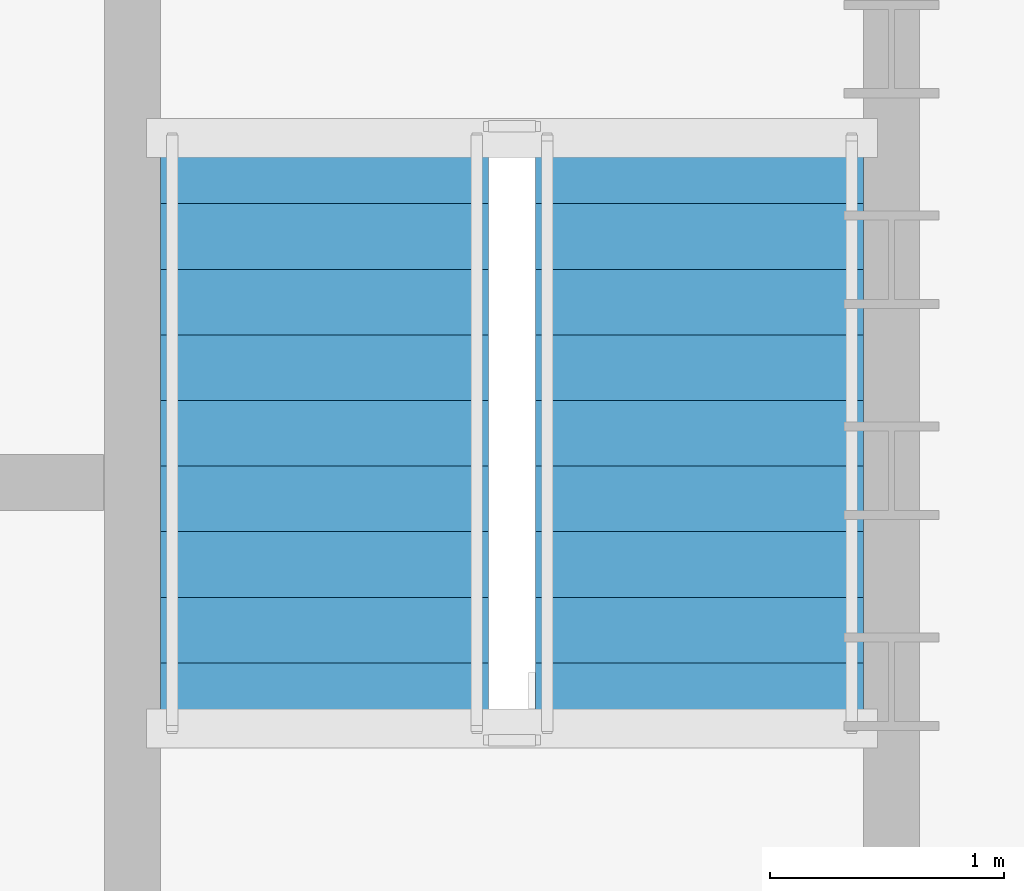
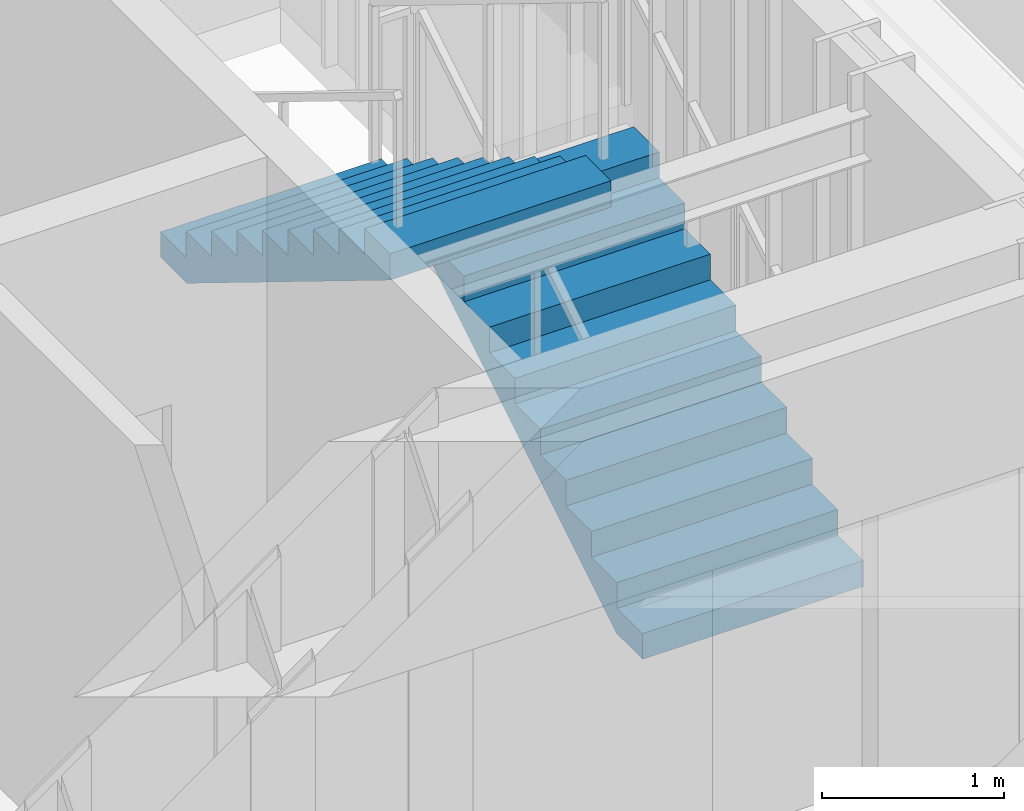
# One storey, part 9 of 13: 2 stair flights, 1 element without a shape of its own.
"""IFC4 building model written with IfcOpenShell, lengths in metres."""

from ifc_helpers import new_model, si_unit, direction, frame, origin, place, context, subcontext, project, spatial, polyline, outline, extrude, material, type_object, element, aggregate, save


model = new_model("IFC4")

# Units and contexts
model_context = context("Model", 3, precision=1e-05, world=origin(), true_north=direction((0.0, 1.0)))
body_context = subcontext(model_context, "Body", "Model", "MODEL_VIEW")
ifc_project = project(units=[si_unit("LENGTHUNIT", "METRE"), si_unit("AREAUNIT", "SQUARE_METRE"), si_unit("VOLUMEUNIT", "CUBIC_METRE"), si_unit("PLANEANGLEUNIT", "RADIAN"), si_unit("MASSUNIT", "GRAM", prefix="KILO")], contexts=[model_context])

# Site, building, storey
site_placement = place(None, origin())
site = spatial("IfcSite", under=ifc_project, at=site_placement, CompositionType="ELEMENT")
building_placement = place(site_placement, origin())
building = spatial("IfcBuilding", under=site, at=building_placement, Name="Haldorwick Loom Tower", CompositionType="ELEMENT")
storey_placement = place(building_placement, frame((0.0, 0.0, 175.14990234375)))
storey = spatial("IfcBuildingStorey", under=building, at=storey_placement, Name="L47", CompositionType="ELEMENT", Elevation=175.14990234375)

# Stair, stair flights
ifc_material = material(Name="Concrete C40 (40 MPa)", Category="concrete")
stair_type = type_object("IfcStairType", Name="STR-STR-CORE", PredefinedType="HALF_TURN_STAIR", material=ifc_material)
stair_placement = place(storey_placement, origin())
stair = element("IfcStair", 1, at=stair_placement, inside=storey, type_object=stair_type, Name="L47 Exit Stair ST-02", PredefinedType="HALF_TURN_STAIR")
stair_flight_type = type_object("IfcStairFlightType", Name="STR-STF-1250", PredefinedType="STRAIGHT", material=ifc_material)
stair_flight_1_placement = place(storey_placement, frame((49.25, 28.39990234375, 0.0), z_axis=(0.0, 0.0, 1.0), x_axis=(0.0, 1.0, 0.0)))
stair_flight_1 = element("IfcStairFlight", 2, at=stair_flight_1_placement, type_object=stair_flight_type, Name="ST-02 flight 1", NumberOfRisers=10, NumberOfTreads=9, PredefinedType="STRAIGHT", RiserHeight=0.1725, TreadLength=0.28, context=body_context, shape_type="SweptSolid", body=[
    extrude(outline(polyline([(0.0, 0.0), (0.0, 0.172607421875), (0.280029296875, 0.172607421875), (0.280029296875, 0.344970703125), (0.56005859375, 0.344970703125), (0.56005859375, 0.517578125), (0.840087890625, 0.517578125), (0.840087890625, 0.68994140625), (1.1201171875, 0.68994140625), (1.1201171875, 0.862548828125), (1.39990234375, 0.862548828125), (1.39990234375, 1.034912109375), (1.679931640625, 1.034912109375), (1.679931640625, 1.20751953125), (1.9599609375, 1.20751953125), (1.9599609375, 1.3798828125), (2.239990234375, 1.3798828125), (2.239990234375, 1.552490234375), (2.52001953125, 1.552490234375), (2.52001953125, 1.72509765625), (2.52001953125, 1.37646484375), (0.285888671875, 0.0), (0.0, 0.0)])), frame((0.0, 0.699951171875, 0.0), z_axis=(0.0, -1.0, 0.0), x_axis=(1.0, 0.0, 0.0)), (0.0, 0.0, 1.0), 1.39990234375),
])
stair_flight_2_placement = place(storey_placement, frame((47.64990234375, 30.919921875, 1.72509765625), z_axis=(0.0, 0.0, 1.0), x_axis=(0.0, -1.0, 0.0)))
stair_flight_2 = element("IfcStairFlight", 3, at=stair_flight_2_placement, type_object=stair_flight_type, Name="ST-02 flight 2", NumberOfRisers=10, NumberOfTreads=9, PredefinedType="STRAIGHT", RiserHeight=0.1725, TreadLength=0.28, context=body_context, shape_type="SweptSolid", body=[
    extrude(outline(polyline([(0.0, 0.0), (0.0, 0.172607421875), (0.280029296875, 0.172607421875), (0.280029296875, 0.344970703125), (0.56005859375, 0.344970703125), (0.56005859375, 0.517578125), (0.840087890625, 0.517578125), (0.840087890625, 0.68994140625), (1.1201171875, 0.68994140625), (1.1201171875, 0.862548828125), (1.39990234375, 0.862548828125), (1.39990234375, 1.034912109375), (1.679931640625, 1.034912109375), (1.679931640625, 1.20751953125), (1.9599609375, 1.20751953125), (1.9599609375, 1.3798828125), (2.239990234375, 1.3798828125), (2.239990234375, 1.552490234375), (2.52001953125, 1.552490234375), (2.52001953125, 1.72509765625), (2.52001953125, 1.37646484375), (0.285888671875, 0.0), (0.0, 0.0)])), frame((0.0, 0.699951171875, 0.0), z_axis=(0.0, -1.0, 0.0), x_axis=(1.0, 0.0, 0.0)), (0.0, 0.0, 1.0), 1.39990234375),
])
aggregate(stair, [stair_flight_1, stair_flight_2])

save(model, "model.ifc")
